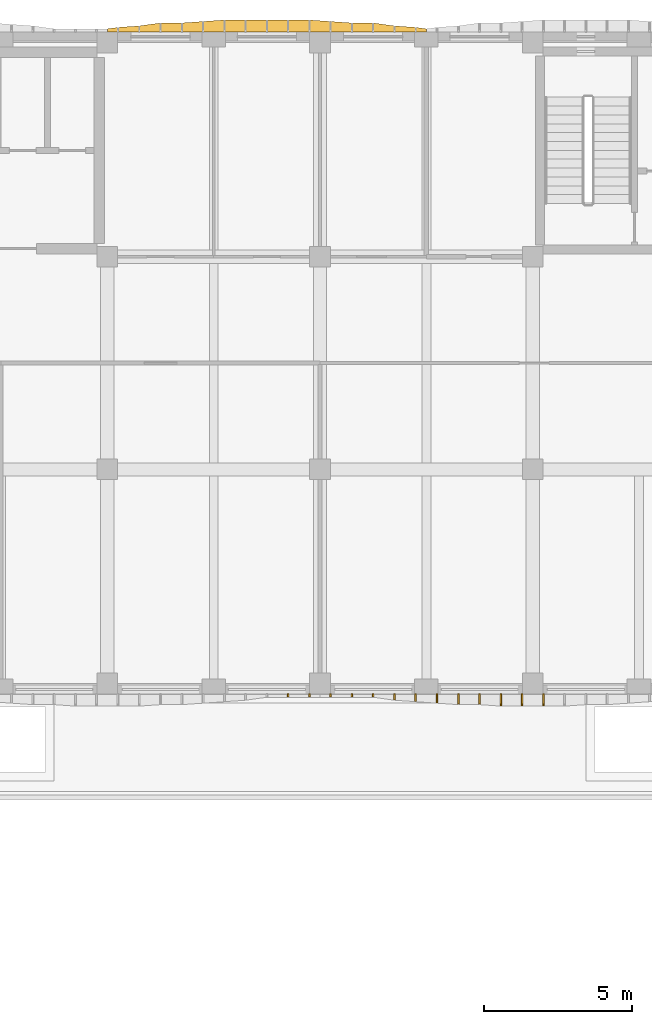
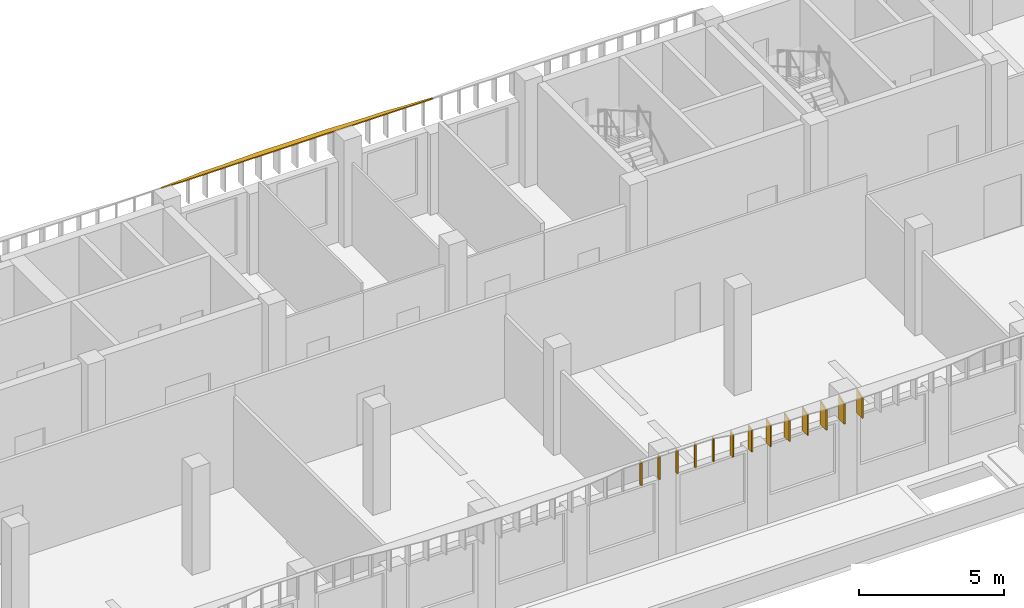
# One storey, part 52 of 59: 14 shading devices.
"""IFC4 building model written with IfcOpenShell, lengths in metres."""

from ifc_helpers import new_model, si_unit, direction, frame, origin, place, context, subcontext, project, spatial, polyline, outline, extrude, material, layer, layer_set, type_object, element, save


model = new_model("IFC4")

# Units and contexts
model_context = context("Model", 3, precision=1e-05, world=origin(), true_north=direction((0.0, 1.0)))
body_context = subcontext(model_context, "Body", "Model", "MODEL_VIEW")
ifc_project = project(units=[si_unit("LENGTHUNIT", "METRE"), si_unit("AREAUNIT", "SQUARE_METRE"), si_unit("VOLUMEUNIT", "CUBIC_METRE"), si_unit("PLANEANGLEUNIT", "RADIAN"), si_unit("MASSUNIT", "GRAM", prefix="KILO")], contexts=[model_context])

# Site, building, storey
site_placement = place(None, origin())
site = spatial("IfcSite", under=ifc_project, at=site_placement, CompositionType="ELEMENT")
building_placement = place(site_placement, origin())
building = spatial("IfcBuilding", under=site, at=building_placement, Name="Ussher Court Research Institute", CompositionType="ELEMENT")
storey_placement = place(building_placement, frame((0.0, 0.0, 5.39990234375)))
storey = spatial("IfcBuildingStorey", under=building, at=storey_placement, Name="L01", CompositionType="ELEMENT", Elevation=5.39990234375)

# Shading devices
ifc_material_1 = material(Name="Bronze anodised aluminium", Category="aluminium")
ifc_layer_1 = layer(ifc_material_1, 0.050048828125)
ifc_layer_set_1 = layer_set([ifc_layer_1], Name="Bronze anodised aluminium")
shading_device_type_1 = type_object("IfcShadingDeviceType", Name="Brim blade 100 mm deep 1000 mm high canted 20 deg dry", PredefinedType="USERDEFINED", material=ifc_layer_set_1)
for number, where, z_axis, x_axis, name in (
    (1, (69.60009765625, 68.39990234375, 3.4501953125), (0.0, 0.0, 1.0), (0.0, -1.0, 0.0), "Brim blade BS17 L01"),
    (2, (68.8798828125, 68.39990234375, 3.4501953125), (0.0, 0.0, 1.0), (0.0, -1.0, 0.0), "Brim blade BS17 L01"),
    (3, (68.159912109375, 68.39990234375, 3.4501953125), (0.0, 0.0, 1.0), (0.0, -1.0, 0.0), "Brim blade BS17 L01"),
    (4, (67.43994140625, 68.39990234375, 3.4501953125), (0.0, 0.0, 1.0), (0.0, -1.0, 0.0), "Brim blade BS17 L01"),
    (5, (66.719970703125, 68.39990234375, 3.4501953125), (0.0, 0.0, 1.0), (0.0, -1.0, 0.0), "Brim blade BS17 L01"),
):
    element("IfcShadingDevice", number, at=place(storey_placement, frame(where, z_axis=z_axis, x_axis=x_axis)), inside=storey, type_object=shading_device_type_1, Name=name, ObjectType="BLADE", PredefinedType="USERDEFINED", context=body_context, shape_type="SweptSolid", body=[
        extrude(outline(polyline([(0.0, 0.0), (0.099853515625, 0.0), (0.10009765625, 0.963623046875), (0.0, 1.0), (0.0, 0.0)])), frame((0.0, 0.02490234375, 0.0), z_axis=(0.0, -1.0, 0.0), x_axis=(1.0, 0.0, 0.0)), (0.0, 0.0, 1.0), 0.050048828125),
    ])
ifc_material_2 = material(Name="Bronze anodised aluminium", Category="aluminium")
ifc_layer_2 = layer(ifc_material_2, 0.050048828125)
ifc_layer_set_2 = layer_set([ifc_layer_2], Name="Bronze anodised aluminium")
shading_device_type_2 = type_object("IfcShadingDeviceType", Name="Brim blade 200 mm deep 1000 mm high canted 20 deg dry", PredefinedType="USERDEFINED", material=ifc_layer_set_2)
shading_device_1_placement = place(storey_placement, frame((70.320068359375, 68.39990234375, 3.4501953125), z_axis=(0.0, 0.0, 1.0), x_axis=(0.0, -1.0, 0.0)))
element("IfcShadingDevice", 6, at=shading_device_1_placement, inside=storey, type_object=shading_device_type_2, Name="Brim blade BS15 L01", ObjectType="BLADE", PredefinedType="USERDEFINED", context=body_context, shape_type="SweptSolid", body=[
    extrude(outline(polyline([(0.0, 0.0), (0.199951171875, 0.0), (0.199951171875, 0.927001953125), (0.0, 1.0), (0.0, 0.0)])), frame((0.0, 0.02490234375, 0.0), z_axis=(0.0, -1.0, 0.0), x_axis=(1.0, 0.0, 0.0)), (0.0, 0.0, 1.0), 0.050048828125),
])
ifc_material_3 = material(Name="Bronze anodised aluminium", Category="aluminium")
ifc_layer_3 = layer(ifc_material_3, 0.050048828125)
ifc_layer_set_3 = layer_set([ifc_layer_3], Name="Bronze anodised aluminium")
shading_device_type_3 = type_object("IfcShadingDeviceType", Name="Brim blade 250 mm deep 1000 mm high canted 20 deg dry", PredefinedType="USERDEFINED", material=ifc_layer_set_3)
shading_device_2_placement = place(storey_placement, frame((71.0400390625, 68.39990234375, 3.4501953125), z_axis=(0.0, 0.0, 1.0), x_axis=(0.0, -1.0, 0.0)))
element("IfcShadingDevice", 7, at=shading_device_2_placement, inside=storey, type_object=shading_device_type_3, Name="Brim blade BS14 L01", ObjectType="BLADE", PredefinedType="USERDEFINED", context=body_context, shape_type="SweptSolid", body=[
    extrude(outline(polyline([(0.0, 0.0), (0.25, 0.0), (0.25, 0.908935546875), (0.0, 1.0), (0.0, 0.0)])), frame((0.0, 0.02490234375, 0.0), z_axis=(0.0, -1.0, 0.0), x_axis=(1.0, 0.0, 0.0)), (0.0, 0.0, 1.0), 0.050048828125),
])
ifc_material_4 = material(Name="Bronze anodised aluminium", Category="aluminium")
ifc_layer_4 = layer(ifc_material_4, 0.050048828125)
ifc_layer_set_4 = layer_set([ifc_layer_4], Name="Bronze anodised aluminium")
shading_device_type_4 = type_object("IfcShadingDeviceType", Name="Brim blade 300 mm deep 1000 mm high canted 20 deg dry", PredefinedType="USERDEFINED", material=ifc_layer_set_4)
shading_device_3_placement = place(storey_placement, frame((71.760009765625, 68.39990234375, 3.4501953125), z_axis=(0.0, 0.0, 1.0), x_axis=(0.0, -1.0, 0.0)))
element("IfcShadingDevice", 8, at=shading_device_3_placement, inside=storey, type_object=shading_device_type_4, Name="Brim blade BS13 L01", ObjectType="BLADE", PredefinedType="USERDEFINED", context=body_context, shape_type="SweptSolid", body=[
    extrude(outline(polyline([(0.0, 0.0), (0.2998046875, 0.0), (0.300048828125, 0.890625), (0.0, 1.0), (0.0, 0.0)])), frame((0.0, 0.02490234375, 0.0), z_axis=(0.0, -1.0, 0.0), x_axis=(1.0, 0.0, 0.0)), (0.0, 0.0, 1.0), 0.050048828125),
])
ifc_material_5 = material(Name="Bronze anodised aluminium", Category="aluminium")
ifc_layer_5 = layer(ifc_material_5, 0.050048828125)
ifc_layer_set_5 = layer_set([ifc_layer_5], Name="Bronze anodised aluminium")
shading_device_type_5 = type_object("IfcShadingDeviceType", Name="Brim blade 350 mm deep 1000 mm high canted 20 deg dry", PredefinedType="USERDEFINED", material=ifc_layer_set_5)
for number, where, z_axis, x_axis, name in (
    (9, (73.199951171875, 68.39990234375, 3.4501953125), (0.0, 0.0, 1.0), (0.0, -1.0, 0.0), "Brim blade BS12 L01"),
    (10, (72.47998046875, 68.39990234375, 3.4501953125), (0.0, 0.0, 1.0), (0.0, -1.0, 0.0), "Brim blade BS12 L01"),
):
    element("IfcShadingDevice", number, at=place(storey_placement, frame(where, z_axis=z_axis, x_axis=x_axis)), inside=storey, type_object=shading_device_type_5, Name=name, ObjectType="BLADE", PredefinedType="USERDEFINED", context=body_context, shape_type="SweptSolid", body=[
        extrude(outline(polyline([(0.0, 0.0), (0.349853515625, 0.0), (0.35009765625, 0.87255859375), (0.0, 1.0), (0.0, 0.0)])), frame((0.0, 0.02490234375, 0.0), z_axis=(0.0, -1.0, 0.0), x_axis=(1.0, 0.0, 0.0)), (0.0, 0.0, 1.0), 0.050048828125),
    ])
ifc_material_6 = material(Name="Bronze anodised aluminium", Category="aluminium")
ifc_layer_6 = layer(ifc_material_6, 0.050048828125)
ifc_layer_set_6 = layer_set([ifc_layer_6], Name="Bronze anodised aluminium")
shading_device_type_6 = type_object("IfcShadingDeviceType", Name="Brim blade 400 mm deep 1000 mm high canted 20 deg dry", PredefinedType="USERDEFINED", material=ifc_layer_set_6)
for number, where, z_axis, x_axis, name in (
    (11, (75.360107421875, 68.39990234375, 3.4501953125), (0.0, 0.0, 1.0), (0.0, -1.0, 0.0), "Brim blade BS11 L01"),
    (12, (74.639892578125, 68.39990234375, 3.4501953125), (0.0, 0.0, 1.0), (0.0, -1.0, 0.0), "Brim blade BS11 L01"),
    (13, (73.919921875, 68.39990234375, 3.4501953125), (0.0, 0.0, 1.0), (0.0, -1.0, 0.0), "Brim blade BS11 L01"),
):
    element("IfcShadingDevice", number, at=place(storey_placement, frame(where, z_axis=z_axis, x_axis=x_axis)), inside=storey, type_object=shading_device_type_6, Name=name, ObjectType="BLADE", PredefinedType="USERDEFINED", context=body_context, shape_type="SweptSolid", body=[
        extrude(outline(polyline([(0.0, 0.0), (0.39990234375, 0.0), (0.39990234375, 0.854248046875), (0.0, 1.0), (0.0, 0.0)])), frame((0.0, 0.02490234375, 0.0), z_axis=(0.0, -1.0, 0.0), x_axis=(1.0, 0.0, 0.0)), (0.0, 0.0, 1.0), 0.050048828125),
    ])
ifc_material_7 = material(Name="Bronze anodised aluminium", Category="aluminium")
ifc_layer_7 = layer(ifc_material_7, 0.0400390625)
ifc_layer_set_7 = layer_set([ifc_layer_7], Name="Bronze anodised aluminium")
shading_device_type_7 = type_object("IfcShadingDeviceType", Name="Brim visor sheet 40 mm canted 20 deg dry", PredefinedType="USERDEFINED", material=ifc_layer_set_7)
shading_device_4_placement = place(storey_placement, frame((60.60009765625, 90.813720703125, 4.48779296875), z_axis=(0.0, 0.342437443403, 0.93954063103), x_axis=(1.0, 0.0, 0.0)))
element("IfcShadingDevice", 14, at=shading_device_4_placement, inside=storey, type_object=shading_device_type_7, Name="Brim visor sheet BR2 L01", ObjectType="BRIM", PredefinedType="USERDEFINED", context=body_context, shape_type="SweptSolid", body=[
    extrude(outline(polyline([(0.0, 0.0), (10.7998046875, 0.0), (10.7998046875, 0.10650264594463102), (10.43994140625, 0.15956639032580203), (9.719970703125, 0.21285951474384548), (9.0, 0.3193621606884765), (8.27978515625, 0.3193621606884765), (7.559814453125, 0.37257168221506404), (6.83984375, 0.42563542659623504), (6.119873046875, 0.42563542659623504), (5.39990234375, 0.42563542659623504), (4.679931640625, 0.42563542659623504), (3.9599609375, 0.42563542659623504), (3.239990234375, 0.37257168221506404), (2.52001953125, 0.3193621606884765), (1.7998046875, 0.3193621606884765), (1.079833984375, 0.21285951474384548), (0.35986328125, 0.15956639032580203), (0.0, 0.10650264594463102), (0.0, 0.0)])), origin(), (0.0, 0.0, -1.0), 0.0400390625),
])

save(model, "model.ifc")
